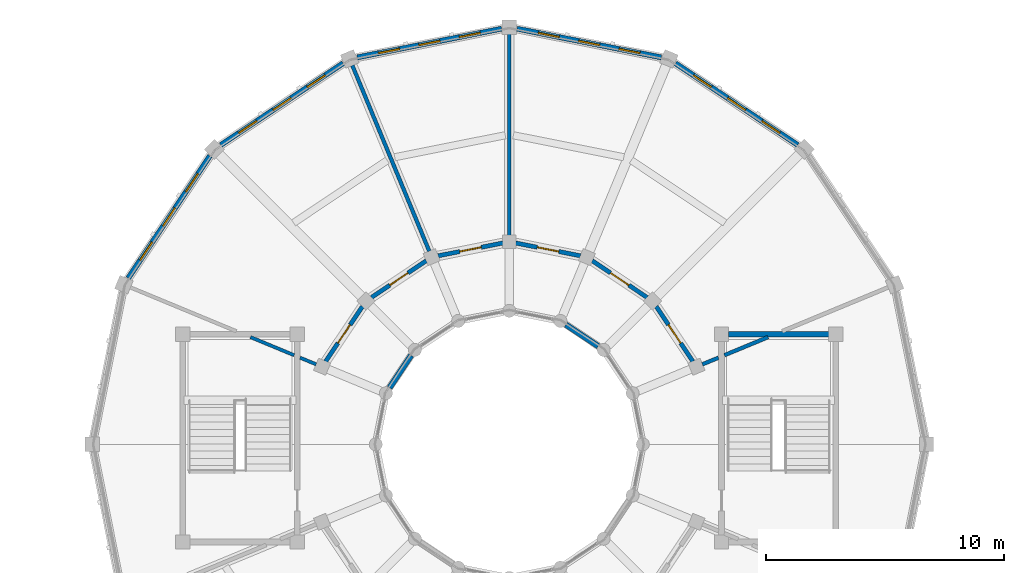
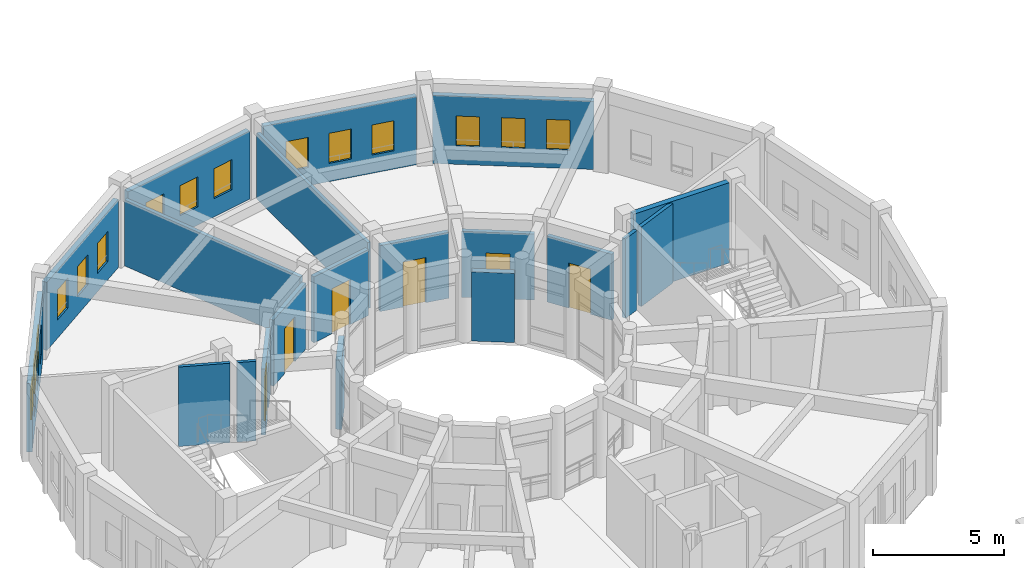
# One storey, part 87 of 112: 20 walls, 15 windows, 6 doors, 21 openings.
"""IFC4 building model written with IfcOpenShell, lengths in metres."""

from ifc_helpers import new_model, si_unit, direction, frame, frame_2d, origin, place, context, subcontext, project, spatial, rectangle, extrude, material, layer, layer_set, type_object, element, fill, save


model = new_model("IFC4")

# Units and contexts
model_context = context("Model", 3, precision=1e-05, world=origin(), true_north=direction((0.0, 1.0)))
body_context = subcontext(model_context, "Body", "Model", "MODEL_VIEW")
ifc_project = project(units=[si_unit("LENGTHUNIT", "METRE"), si_unit("AREAUNIT", "SQUARE_METRE"), si_unit("VOLUMEUNIT", "CUBIC_METRE"), si_unit("PLANEANGLEUNIT", "RADIAN"), si_unit("MASSUNIT", "GRAM", prefix="KILO")], contexts=[model_context])

# Site, building, storey
site_placement = place(None, origin())
site = spatial("IfcSite", under=ifc_project, at=site_placement, CompositionType="ELEMENT")
building_placement = place(site_placement, origin())
building = spatial("IfcBuilding", under=site, at=building_placement, Name="Celadon Cloister-Ring School", CompositionType="ELEMENT")
storey_placement = place(building_placement, frame((0.0, 0.0, 8.5)))
storey = spatial("IfcBuildingStorey", under=building, at=storey_placement, Name="L02", CompositionType="ELEMENT", Elevation=8.5)

# Walls
ifc_material_1 = material(Name="Rendered concrete blockwork", Category="masonry")
ifc_layer_1 = layer(ifc_material_1, 0.239990234375)
ifc_layer_set_1 = layer_set([ifc_layer_1], Name="Rendered concrete blockwork")
wall_type_1 = type_object("IfcWallType", Name="WT-EX3", PredefinedType="SOLIDWALL", material=ifc_layer_set_1)
for number, where, z_axis, x_axis, name in (
    (1, (23.929931640625, 101.114013671875, 0.0), (0.0, 0.0, 1.0), (-0.83165874011, 0.555287078904, 0.0), "Exterior Wall 0254"),
    (2, (16.0859375, 100.72998046875, 0.0), (0.0, 0.0, 1.0), (-0.555287078904, -0.83165874011, 0.0), "Exterior Wall 0259"),
):
    element("IfcWall", number, at=place(storey_placement, frame(where, z_axis=z_axis, x_axis=x_axis)), inside=storey, type_object=wall_type_1, Name=name, PredefinedType="SOLIDWALL", context=body_context, shape_type="SweptSolid", body=[
        extrude(rectangle(XDim=1.631591796875, YDim=0.239990234375, at=frame_2d((0.81591796875, 0.0))), origin(), (0.0, 0.0, 1.0), 3.221923828125),
    ])

# Wall, openings, windows
ifc_material_2 = material(Name="Perforated terracotta clay brick masonry", Category="masonry")
ifc_layer_2 = layer(ifc_material_2, 0.219970703125)
ifc_layer_set_2 = layer_set([ifc_layer_2], Name="Perforated terracotta clay brick masonry")
wall_type_2 = type_object("IfcWallType", Name="WT-EX4", PredefinedType="SOLIDWALL", material=ifc_layer_set_2)
wall_1_placement = place(storey_placement, frame((27.1708984375, 112.985107421875, 0.0), z_axis=(0.0, 0.0, 1.0), x_axis=(0.831392186772, -0.55568609104, 0.0)))
wall_1 = element("IfcWall", 3, at=wall_1_placement, inside=storey, type_object=wall_type_2, Name="Exterior Wall 0253", PredefinedType="SOLIDWALL", context=body_context, shape_type="SweptSolid", body=[
    extrude(rectangle(XDim=6.16943359375, YDim=0.219970703125, at=frame_2d((3.084716796875, 0.0))), origin(), (0.0, 0.0, 1.0), 3.172119140625),
])
opening_1_placement = place(wall_1_placement, frame((0.906982421875, 0.0, 0.85009765625)))
opening_1 = element("IfcOpeningElement", 4, at=opening_1_placement, cuts=wall_1, Name="Opening WN-21", PredefinedType="OPENING", context=body_context, shape_type="SweptSolid", body=[
    extrude(rectangle(XDim=0.89990234375, YDim=1.39990234375, at=frame_2d((0.449951171875, 0.699951171875))), frame((0.0, 0.1201171875, 0.0), z_axis=(0.0, -1.0, 0.0), x_axis=(1.0, 0.0, 0.0)), (0.0, 0.0, 1.0), 0.239990234375),
])
opening_2_placement = place(wall_1_placement, frame((2.635009765625, 0.0, 0.85009765625)))
opening_2 = element("IfcOpeningElement", 5, at=opening_2_placement, cuts=wall_1, Name="Opening WN-21", PredefinedType="OPENING", context=body_context, shape_type="SweptSolid", body=[
    extrude(rectangle(XDim=0.89990234375, YDim=1.39990234375, at=frame_2d((0.449951171875, 0.699951171875))), frame((0.0, 0.1201171875, 0.0), z_axis=(0.0, -1.0, 0.0), x_axis=(1.0, 0.0, 0.0)), (0.0, 0.0, 1.0), 0.239990234375),
])
opening_3_placement = place(wall_1_placement, frame((4.362060546875, 0.0, 0.85009765625)))
opening_3 = element("IfcOpeningElement", 6, at=opening_3_placement, cuts=wall_1, Name="Opening WN-21", PredefinedType="OPENING", context=body_context, shape_type="SweptSolid", body=[
    extrude(rectangle(XDim=0.89990234375, YDim=1.39990234375, at=frame_2d((0.449951171875, 0.699951171875))), frame((0.0, 0.1201171875, 0.0), z_axis=(0.0, -1.0, 0.0), x_axis=(1.0, 0.0, 0.0)), (0.0, 0.0, 1.0), 0.239990234375),
])
ifc_material_3 = material(Name="Tempered laminated insulating glass", Category="glass")
window_type = type_object("IfcWindowType", Name="WN-21", PartitioningType="SINGLE_PANEL", PredefinedType="WINDOW", material=ifc_material_3)
window_1_placement = place(opening_1_placement, origin())
window_1 = element("IfcWindow", 7, at=window_1_placement, inside=storey, type_object=window_type, Name="Window 0673", OverallHeight=1.39990234375, OverallWidth=0.89990234375, PartitioningType="SINGLE_PANEL", PredefinedType="WINDOW", context=body_context, shape_type="SweptSolid", body=[
    extrude(rectangle(XDim=0.89990234375, YDim=1.39990234375, at=frame_2d((0.449951171875, 0.699951171875))), frame((0.0, 0.030029296875, 0.0), z_axis=(0.0, -1.0, 0.0), x_axis=(1.0, 0.0, 0.0)), (0.0, 0.0, 1.0), 0.06005859375),
])
fill(opening_1, window_1)
window_2_placement = place(opening_2_placement, origin())
window_2 = element("IfcWindow", 8, at=window_2_placement, inside=storey, type_object=window_type, Name="Window 0674", OverallHeight=1.39990234375, OverallWidth=0.89990234375, PartitioningType="SINGLE_PANEL", PredefinedType="WINDOW", context=body_context, shape_type="SweptSolid", body=[
    extrude(rectangle(XDim=0.89990234375, YDim=1.39990234375, at=frame_2d((0.449951171875, 0.699951171875))), frame((0.0, 0.030029296875, 0.0), z_axis=(0.0, -1.0, 0.0), x_axis=(1.0, 0.0, 0.0)), (0.0, 0.0, 1.0), 0.06005859375),
])
fill(opening_2, window_2)
window_3_placement = place(opening_3_placement, origin())
window_3 = element("IfcWindow", 9, at=window_3_placement, inside=storey, type_object=window_type, Name="Window 0675", OverallHeight=1.39990234375, OverallWidth=0.89990234375, PartitioningType="SINGLE_PANEL", PredefinedType="WINDOW", context=body_context, shape_type="SweptSolid", body=[
    extrude(rectangle(XDim=0.89990234375, YDim=1.39990234375, at=frame_2d((0.449951171875, 0.699951171875))), frame((0.0, 0.030029296875, 0.0), z_axis=(0.0, -1.0, 0.0), x_axis=(1.0, 0.0, 0.0)), (0.0, 0.0, 1.0), 0.06005859375),
])
fill(opening_3, window_3)

wall_2_placement = place(storey_placement, frame((20.52294921875, 114.43603515625, 0.0), z_axis=(0.0, 0.0, 1.0), x_axis=(0.980770460131, -0.195164813773, 0.0)))
wall_2 = element("IfcWall", 10, at=wall_2_placement, inside=storey, type_object=wall_type_2, Name="Exterior Wall 0255", PredefinedType="SOLIDWALL", context=body_context, shape_type="SweptSolid", body=[
    extrude(rectangle(XDim=6.169677734375, YDim=0.219970703125, at=frame_2d((3.0849609375, 0.0))), origin(), (0.0, 0.0, 1.0), 3.172119140625),
])
opening_4_placement = place(wall_2_placement, frame((0.906982421875, 0.0, 0.85009765625)))
opening_4 = element("IfcOpeningElement", 11, at=opening_4_placement, cuts=wall_2, Name="Opening WN-21", PredefinedType="OPENING", context=body_context, shape_type="SweptSolid", body=[
    extrude(rectangle(XDim=0.89990234375, YDim=1.39990234375, at=frame_2d((0.449951171875, 0.699951171875))), frame((0.0, 0.1201171875, 0.0), z_axis=(0.0, -1.0, 0.0), x_axis=(1.0, 0.0, 0.0)), (0.0, 0.0, 1.0), 0.239990234375),
])
opening_5_placement = place(wall_2_placement, frame((2.635009765625, 0.0, 0.85009765625)))
opening_5 = element("IfcOpeningElement", 12, at=opening_5_placement, cuts=wall_2, Name="Opening WN-21", PredefinedType="OPENING", context=body_context, shape_type="SweptSolid", body=[
    extrude(rectangle(XDim=0.89990234375, YDim=1.39990234375, at=frame_2d((0.449951171875, 0.699951171875))), frame((0.0, 0.1201171875, 0.0), z_axis=(0.0, -1.0, 0.0), x_axis=(1.0, 0.0, 0.0)), (0.0, 0.0, 1.0), 0.239990234375),
])
opening_6_placement = place(wall_2_placement, frame((4.362060546875, 0.0, 0.85009765625)))
opening_6 = element("IfcOpeningElement", 13, at=opening_6_placement, cuts=wall_2, Name="Opening WN-21", PredefinedType="OPENING", context=body_context, shape_type="SweptSolid", body=[
    extrude(rectangle(XDim=0.89990234375, YDim=1.39990234375, at=frame_2d((0.449951171875, 0.699951171875))), frame((0.0, 0.1201171875, 0.0), z_axis=(0.0, -1.0, 0.0), x_axis=(1.0, 0.0, 0.0)), (0.0, 0.0, 1.0), 0.239990234375),
])
window_4_placement = place(opening_4_placement, origin())
window_4 = element("IfcWindow", 14, at=window_4_placement, inside=storey, type_object=window_type, Name="Window 0676", OverallHeight=1.39990234375, OverallWidth=0.89990234375, PartitioningType="SINGLE_PANEL", PredefinedType="WINDOW", context=body_context, shape_type="SweptSolid", body=[
    extrude(rectangle(XDim=0.89990234375, YDim=1.39990234375, at=frame_2d((0.449951171875, 0.699951171875))), frame((0.0, 0.030029296875, 0.0), z_axis=(0.0, -1.0, 0.0), x_axis=(1.0, 0.0, 0.0)), (0.0, 0.0, 1.0), 0.06005859375),
])
fill(opening_4, window_4)
window_5_placement = place(opening_5_placement, origin())
window_5 = element("IfcWindow", 15, at=window_5_placement, inside=storey, type_object=window_type, Name="Window 0677", OverallHeight=1.39990234375, OverallWidth=0.89990234375, PartitioningType="SINGLE_PANEL", PredefinedType="WINDOW", context=body_context, shape_type="SweptSolid", body=[
    extrude(rectangle(XDim=0.89990234375, YDim=1.39990234375, at=frame_2d((0.449951171875, 0.699951171875))), frame((0.0, 0.030029296875, 0.0), z_axis=(0.0, -1.0, 0.0), x_axis=(1.0, 0.0, 0.0)), (0.0, 0.0, 1.0), 0.06005859375),
])
fill(opening_5, window_5)
window_6_placement = place(opening_6_placement, origin())
window_6 = element("IfcWindow", 16, at=window_6_placement, inside=storey, type_object=window_type, Name="Window 0678", OverallHeight=1.39990234375, OverallWidth=0.89990234375, PartitioningType="SINGLE_PANEL", PredefinedType="WINDOW", context=body_context, shape_type="SweptSolid", body=[
    extrude(rectangle(XDim=0.89990234375, YDim=1.39990234375, at=frame_2d((0.449951171875, 0.699951171875))), frame((0.0, 0.030029296875, 0.0), z_axis=(0.0, -1.0, 0.0), x_axis=(1.0, 0.0, 0.0)), (0.0, 0.0, 1.0), 0.06005859375),
])
fill(opening_6, window_6)

wall_3_placement = place(storey_placement, frame((13.825927734375, 113.23193359375, 0.0), z_axis=(0.0, 0.0, 1.0), x_axis=(0.980770460131, 0.195164813773, 0.0)))
wall_3 = element("IfcWall", 17, at=wall_3_placement, inside=storey, type_object=wall_type_2, Name="Exterior Wall 0256", PredefinedType="SOLIDWALL", context=body_context, shape_type="SweptSolid", body=[
    extrude(rectangle(XDim=6.169677734375, YDim=0.219970703125, at=frame_2d((3.0849609375, 0.0))), origin(), (0.0, 0.0, 1.0), 3.172119140625),
])
opening_7_placement = place(wall_3_placement, frame((0.906982421875, 0.0, 0.85009765625)))
opening_7 = element("IfcOpeningElement", 18, at=opening_7_placement, cuts=wall_3, Name="Opening WN-21", PredefinedType="OPENING", context=body_context, shape_type="SweptSolid", body=[
    extrude(rectangle(XDim=0.89990234375, YDim=1.39990234375, at=frame_2d((0.449951171875, 0.699951171875))), frame((0.0, 0.1201171875, 0.0), z_axis=(0.0, -1.0, 0.0), x_axis=(1.0, 0.0, 0.0)), (0.0, 0.0, 1.0), 0.239990234375),
])
opening_8_placement = place(wall_3_placement, frame((2.635009765625, 0.0, 0.85009765625)))
opening_8 = element("IfcOpeningElement", 19, at=opening_8_placement, cuts=wall_3, Name="Opening WN-21", PredefinedType="OPENING", context=body_context, shape_type="SweptSolid", body=[
    extrude(rectangle(XDim=0.89990234375, YDim=1.39990234375, at=frame_2d((0.449951171875, 0.699951171875))), frame((0.0, 0.1201171875, 0.0), z_axis=(0.0, -1.0, 0.0), x_axis=(1.0, 0.0, 0.0)), (0.0, 0.0, 1.0), 0.239990234375),
])
opening_9_placement = place(wall_3_placement, frame((4.362060546875, 0.0, 0.85009765625)))
opening_9 = element("IfcOpeningElement", 20, at=opening_9_placement, cuts=wall_3, Name="Opening WN-21", PredefinedType="OPENING", context=body_context, shape_type="SweptSolid", body=[
    extrude(rectangle(XDim=0.89990234375, YDim=1.39990234375, at=frame_2d((0.449951171875, 0.699951171875))), frame((0.0, 0.1201171875, 0.0), z_axis=(0.0, -1.0, 0.0), x_axis=(1.0, 0.0, 0.0)), (0.0, 0.0, 1.0), 0.239990234375),
])
window_7_placement = place(opening_7_placement, origin())
window_7 = element("IfcWindow", 21, at=window_7_placement, inside=storey, type_object=window_type, Name="Window 0679", OverallHeight=1.39990234375, OverallWidth=0.89990234375, PartitioningType="SINGLE_PANEL", PredefinedType="WINDOW", context=body_context, shape_type="SweptSolid", body=[
    extrude(rectangle(XDim=0.89990234375, YDim=1.39990234375, at=frame_2d((0.449951171875, 0.699951171875))), frame((0.0, 0.030029296875, 0.0), z_axis=(0.0, -1.0, 0.0), x_axis=(1.0, 0.0, 0.0)), (0.0, 0.0, 1.0), 0.06005859375),
])
fill(opening_7, window_7)
window_8_placement = place(opening_8_placement, origin())
window_8 = element("IfcWindow", 22, at=window_8_placement, inside=storey, type_object=window_type, Name="Window 0680", OverallHeight=1.39990234375, OverallWidth=0.89990234375, PartitioningType="SINGLE_PANEL", PredefinedType="WINDOW", context=body_context, shape_type="SweptSolid", body=[
    extrude(rectangle(XDim=0.89990234375, YDim=1.39990234375, at=frame_2d((0.449951171875, 0.699951171875))), frame((0.0, 0.030029296875, 0.0), z_axis=(0.0, -1.0, 0.0), x_axis=(1.0, 0.0, 0.0)), (0.0, 0.0, 1.0), 0.06005859375),
])
fill(opening_8, window_8)
window_9_placement = place(opening_9_placement, origin())
window_9 = element("IfcWindow", 23, at=window_9_placement, inside=storey, type_object=window_type, Name="Window 0681", OverallHeight=1.39990234375, OverallWidth=0.89990234375, PartitioningType="SINGLE_PANEL", PredefinedType="WINDOW", context=body_context, shape_type="SweptSolid", body=[
    extrude(rectangle(XDim=0.89990234375, YDim=1.39990234375, at=frame_2d((0.449951171875, 0.699951171875))), frame((0.0, 0.030029296875, 0.0), z_axis=(0.0, -1.0, 0.0), x_axis=(1.0, 0.0, 0.0)), (0.0, 0.0, 1.0), 0.06005859375),
])
fill(opening_9, window_9)

wall_4_placement = place(storey_placement, frame((8.10009765625, 109.556884765625, 0.0), z_axis=(0.0, 0.0, 1.0), x_axis=(0.831379966495, 0.555704374025, 0.0)))
wall_4 = element("IfcWall", 24, at=wall_4_placement, inside=storey, type_object=wall_type_2, Name="Exterior Wall 0257", PredefinedType="SOLIDWALL", context=body_context, shape_type="SweptSolid", body=[
    extrude(rectangle(XDim=6.169189453125, YDim=0.219970703125, at=frame_2d((3.08447265625, 0.0))), origin(), (0.0, 0.0, 1.0), 3.172119140625),
])
opening_10_placement = place(wall_4_placement, frame((0.906982421875, 0.0, 0.85009765625)))
opening_10 = element("IfcOpeningElement", 25, at=opening_10_placement, cuts=wall_4, Name="Opening WN-21", PredefinedType="OPENING", context=body_context, shape_type="SweptSolid", body=[
    extrude(rectangle(XDim=0.89990234375, YDim=1.39990234375, at=frame_2d((0.449951171875, 0.699951171875))), frame((0.0, 0.1201171875, 0.0), z_axis=(0.0, -1.0, 0.0), x_axis=(1.0, 0.0, 0.0)), (0.0, 0.0, 1.0), 0.239990234375),
])
opening_11_placement = place(wall_4_placement, frame((2.635009765625, 0.0, 0.85009765625)))
opening_11 = element("IfcOpeningElement", 26, at=opening_11_placement, cuts=wall_4, Name="Opening WN-21", PredefinedType="OPENING", context=body_context, shape_type="SweptSolid", body=[
    extrude(rectangle(XDim=0.89990234375, YDim=1.39990234375, at=frame_2d((0.449951171875, 0.699951171875))), frame((0.0, 0.1201171875, 0.0), z_axis=(0.0, -1.0, 0.0), x_axis=(1.0, 0.0, 0.0)), (0.0, 0.0, 1.0), 0.239990234375),
])
opening_12_placement = place(wall_4_placement, frame((4.362060546875, 0.0, 0.85009765625)))
opening_12 = element("IfcOpeningElement", 27, at=opening_12_placement, cuts=wall_4, Name="Opening WN-21", PredefinedType="OPENING", context=body_context, shape_type="SweptSolid", body=[
    extrude(rectangle(XDim=0.89990234375, YDim=1.39990234375, at=frame_2d((0.449951171875, 0.699951171875))), frame((0.0, 0.1201171875, 0.0), z_axis=(0.0, -1.0, 0.0), x_axis=(1.0, 0.0, 0.0)), (0.0, 0.0, 1.0), 0.239990234375),
])
window_10_placement = place(opening_10_placement, origin())
window_10 = element("IfcWindow", 28, at=window_10_placement, inside=storey, type_object=window_type, Name="Window 0682", OverallHeight=1.39990234375, OverallWidth=0.89990234375, PartitioningType="SINGLE_PANEL", PredefinedType="WINDOW", context=body_context, shape_type="SweptSolid", body=[
    extrude(rectangle(XDim=0.89990234375, YDim=1.39990234375, at=frame_2d((0.449951171875, 0.699951171875))), frame((0.0, 0.030029296875, 0.0), z_axis=(0.0, -1.0, 0.0), x_axis=(1.0, 0.0, 0.0)), (0.0, 0.0, 1.0), 0.06005859375),
])
fill(opening_10, window_10)
window_11_placement = place(opening_11_placement, origin())
window_11 = element("IfcWindow", 29, at=window_11_placement, inside=storey, type_object=window_type, Name="Window 0683", OverallHeight=1.39990234375, OverallWidth=0.89990234375, PartitioningType="SINGLE_PANEL", PredefinedType="WINDOW", context=body_context, shape_type="SweptSolid", body=[
    extrude(rectangle(XDim=0.89990234375, YDim=1.39990234375, at=frame_2d((0.449951171875, 0.699951171875))), frame((0.0, 0.030029296875, 0.0), z_axis=(0.0, -1.0, 0.0), x_axis=(1.0, 0.0, 0.0)), (0.0, 0.0, 1.0), 0.06005859375),
])
fill(opening_11, window_11)
window_12_placement = place(opening_12_placement, origin())
window_12 = element("IfcWindow", 30, at=window_12_placement, inside=storey, type_object=window_type, Name="Window 0684", OverallHeight=1.39990234375, OverallWidth=0.89990234375, PartitioningType="SINGLE_PANEL", PredefinedType="WINDOW", context=body_context, shape_type="SweptSolid", body=[
    extrude(rectangle(XDim=0.89990234375, YDim=1.39990234375, at=frame_2d((0.449951171875, 0.699951171875))), frame((0.0, 0.030029296875, 0.0), z_axis=(0.0, -1.0, 0.0), x_axis=(1.0, 0.0, 0.0)), (0.0, 0.0, 1.0), 0.06005859375),
])
fill(opening_12, window_12)

wall_5_placement = place(storey_placement, frame((4.215087890625, 103.970947265625, 0.0), z_axis=(0.0, 0.0, 1.0), x_axis=(0.555658736667, 0.831410469242, 0.0)))
wall_5 = element("IfcWall", 31, at=wall_5_placement, inside=storey, type_object=wall_type_2, Name="Exterior Wall 0258", PredefinedType="SOLIDWALL", context=body_context, shape_type="SweptSolid", body=[
    extrude(rectangle(XDim=6.169189453125, YDim=0.219970703125, at=frame_2d((3.08447265625, 0.0))), origin(), (0.0, 0.0, 1.0), 3.172119140625),
])
opening_13_placement = place(wall_5_placement, frame((0.906982421875, 0.0, 0.85009765625)))
opening_13 = element("IfcOpeningElement", 32, at=opening_13_placement, cuts=wall_5, Name="Opening WN-21", PredefinedType="OPENING", context=body_context, shape_type="SweptSolid", body=[
    extrude(rectangle(XDim=0.89990234375, YDim=1.39990234375, at=frame_2d((0.449951171875, 0.699951171875))), frame((0.0, 0.1201171875, 0.0), z_axis=(0.0, -1.0, 0.0), x_axis=(1.0, 0.0, 0.0)), (0.0, 0.0, 1.0), 0.239990234375),
])
opening_14_placement = place(wall_5_placement, frame((2.635009765625, 0.0, 0.85009765625)))
opening_14 = element("IfcOpeningElement", 33, at=opening_14_placement, cuts=wall_5, Name="Opening WN-21", PredefinedType="OPENING", context=body_context, shape_type="SweptSolid", body=[
    extrude(rectangle(XDim=0.89990234375, YDim=1.39990234375, at=frame_2d((0.449951171875, 0.699951171875))), frame((0.0, 0.1201171875, 0.0), z_axis=(0.0, -1.0, 0.0), x_axis=(1.0, 0.0, 0.0)), (0.0, 0.0, 1.0), 0.239990234375),
])
opening_15_placement = place(wall_5_placement, frame((4.362060546875, 0.0, 0.85009765625)))
opening_15 = element("IfcOpeningElement", 34, at=opening_15_placement, cuts=wall_5, Name="Opening WN-21", PredefinedType="OPENING", context=body_context, shape_type="SweptSolid", body=[
    extrude(rectangle(XDim=0.89990234375, YDim=1.39990234375, at=frame_2d((0.449951171875, 0.699951171875))), frame((0.0, 0.1201171875, 0.0), z_axis=(0.0, -1.0, 0.0), x_axis=(1.0, 0.0, 0.0)), (0.0, 0.0, 1.0), 0.239990234375),
])
window_13_placement = place(opening_13_placement, origin())
window_13 = element("IfcWindow", 35, at=window_13_placement, inside=storey, type_object=window_type, Name="Window 0685", OverallHeight=1.39990234375, OverallWidth=0.89990234375, PartitioningType="SINGLE_PANEL", PredefinedType="WINDOW", context=body_context, shape_type="SweptSolid", body=[
    extrude(rectangle(XDim=0.89990234375, YDim=1.39990234375, at=frame_2d((0.449951171875, 0.699951171875))), frame((0.0, 0.030029296875, 0.0), z_axis=(0.0, -1.0, 0.0), x_axis=(1.0, 0.0, 0.0)), (0.0, 0.0, 1.0), 0.06005859375),
])
fill(opening_13, window_13)
window_14_placement = place(opening_14_placement, origin())
window_14 = element("IfcWindow", 36, at=window_14_placement, inside=storey, type_object=window_type, Name="Window 0686", OverallHeight=1.39990234375, OverallWidth=0.89990234375, PartitioningType="SINGLE_PANEL", PredefinedType="WINDOW", context=body_context, shape_type="SweptSolid", body=[
    extrude(rectangle(XDim=0.89990234375, YDim=1.39990234375, at=frame_2d((0.449951171875, 0.699951171875))), frame((0.0, 0.030029296875, 0.0), z_axis=(0.0, -1.0, 0.0), x_axis=(1.0, 0.0, 0.0)), (0.0, 0.0, 1.0), 0.06005859375),
])
fill(opening_14, window_14)
window_15_placement = place(opening_15_placement, origin())
window_15 = element("IfcWindow", 37, at=window_15_placement, inside=storey, type_object=window_type, Name="Window 0687", OverallHeight=1.39990234375, OverallWidth=0.89990234375, PartitioningType="SINGLE_PANEL", PredefinedType="WINDOW", context=body_context, shape_type="SweptSolid", body=[
    extrude(rectangle(XDim=0.89990234375, YDim=1.39990234375, at=frame_2d((0.449951171875, 0.699951171875))), frame((0.0, 0.030029296875, 0.0), z_axis=(0.0, -1.0, 0.0), x_axis=(1.0, 0.0, 0.0)), (0.0, 0.0, 1.0), 0.06005859375),
])
fill(opening_15, window_15)

# Wall, opening, door
ifc_material_4 = material(Name="Plastered hollow concrete masonry", Category="masonry")
ifc_layer_3 = layer(ifc_material_4, 0.179931640625)
ifc_layer_set_3 = layer_set([ifc_layer_3], Name="Plastered hollow concrete masonry")
wall_type_3 = type_object("IfcWallType", Name="WT-PT2", PredefinedType="PARTITIONING", material=ifc_layer_set_3)
wall_6_placement = place(storey_placement, frame((27.902099609375, 100.47900390625, 0.0), z_axis=(0.0, 0.0, 1.0), x_axis=(-0.555797002478, 0.831318045056, 0.0)))
wall_6 = element("IfcWall", 38, at=wall_6_placement, inside=storey, type_object=wall_type_3, Name="Interior Wall 0719", PredefinedType="PARTITIONING", context=body_context, shape_type="SweptSolid", body=[
    extrude(rectangle(XDim=2.772705078125, YDim=0.179931640625, at=frame_2d((1.38623046875, 0.0))), origin(), (0.0, 0.0, 1.0), 3.072021484375),
])
opening_16_placement = place(wall_6_placement, frame((0.926025390625, 0.0, 0.0)))
opening_16 = element("IfcOpeningElement", 39, at=opening_16_placement, cuts=wall_6, Name="Opening D-0258", PredefinedType="OPENING", context=body_context, shape_type="SweptSolid", body=[
    extrude(rectangle(XDim=0.919921875, YDim=2.10009765625, at=frame_2d((0.4599609375, 1.050048828125))), frame((0.0, 0.10009765625, 0.0), z_axis=(0.0, -1.0, 0.0), x_axis=(1.0, 0.0, 0.0)), (0.0, 0.0, 1.0), 0.199951171875),
])
ifc_material_5 = material(Name="Solid-core fire-rated hardwood leaf", Category="wood")
door_type = type_object("IfcDoorType", Name="DT-02", OperationType="NOTDEFINED", PredefinedType="DOOR", material=ifc_material_5)
door_1_placement = place(opening_16_placement, origin())
door_1 = element("IfcDoor", 40, at=door_1_placement, inside=storey, type_object=door_type, Name="Door D-0258", OperationType="SINGLE_SWING_RIGHT", OverallHeight=2.10009765625, OverallWidth=0.919921875, PredefinedType="DOOR", context=body_context, shape_type="SweptSolid", body=[
    extrude(rectangle(XDim=0.919921875, YDim=2.10009765625, at=frame_2d((0.4599609375, 1.050048828125))), frame((0.0, 0.02490234375, 0.0), z_axis=(0.0, -1.0, 0.0), x_axis=(1.0, 0.0, 0.0)), (0.0, 0.0, 1.0), 0.050048828125),
])
fill(opening_16, door_1)

wall_7_placement = place(storey_placement, frame((25.98388671875, 103.160888671875, 0.0), z_axis=(0.0, 0.0, 1.0), x_axis=(-0.831318045056, 0.555797002478, 0.0)))
wall_7 = element("IfcWall", 41, at=wall_7_placement, inside=storey, type_object=wall_type_3, Name="Interior Wall 0720", PredefinedType="PARTITIONING", context=body_context, shape_type="SweptSolid", body=[
    extrude(rectangle(XDim=2.772705078125, YDim=0.179931640625, at=frame_2d((1.38623046875, 0.0))), origin(), (0.0, 0.0, 1.0), 3.072021484375),
])
opening_17_placement = place(wall_7_placement, frame((0.926025390625, 0.0, 0.0)))
opening_17 = element("IfcOpeningElement", 42, at=opening_17_placement, cuts=wall_7, Name="Opening D-0259", PredefinedType="OPENING", context=body_context, shape_type="SweptSolid", body=[
    extrude(rectangle(XDim=0.919921875, YDim=2.10009765625, at=frame_2d((0.4599609375, 1.050048828125))), frame((0.0, 0.10009765625, 0.0), z_axis=(0.0, -1.0, 0.0), x_axis=(1.0, 0.0, 0.0)), (0.0, 0.0, 1.0), 0.199951171875),
])
door_2_placement = place(opening_17_placement, origin())
door_2 = element("IfcDoor", 43, at=door_2_placement, inside=storey, type_object=door_type, Name="Door D-0259", OperationType="SINGLE_SWING_LEFT", OverallHeight=2.10009765625, OverallWidth=0.919921875, PredefinedType="DOOR", context=body_context, shape_type="SweptSolid", body=[
    extrude(rectangle(XDim=0.919921875, YDim=2.10009765625, at=frame_2d((0.4599609375, 1.050048828125))), frame((0.0, 0.02490234375, 0.0), z_axis=(0.0, -1.0, 0.0), x_axis=(1.0, 0.0, 0.0)), (0.0, 0.0, 1.0), 0.050048828125),
])
fill(opening_17, door_2)

wall_8_placement = place(storey_placement, frame((23.18603515625, 104.906005859375, 0.0), z_axis=(0.0, 0.0, 1.0), x_axis=(-0.980773264811, 0.195150718759, 0.0)))
wall_8 = element("IfcWall", 44, at=wall_8_placement, inside=storey, type_object=wall_type_3, Name="Interior Wall 0721", PredefinedType="PARTITIONING", context=body_context, shape_type="SweptSolid", body=[
    extrude(rectangle(XDim=2.772216796875, YDim=0.179931640625, at=frame_2d((1.38623046875, 0.0))), origin(), (0.0, 0.0, 1.0), 3.072021484375),
])
opening_18_placement = place(wall_8_placement, frame((0.926025390625, 0.0, 0.0)))
opening_18 = element("IfcOpeningElement", 45, at=opening_18_placement, cuts=wall_8, Name="Opening D-0260", PredefinedType="OPENING", context=body_context, shape_type="SweptSolid", body=[
    extrude(rectangle(XDim=0.919921875, YDim=2.10009765625, at=frame_2d((0.4599609375, 1.050048828125))), frame((0.0, 0.10009765625, 0.0), z_axis=(0.0, -1.0, 0.0), x_axis=(1.0, 0.0, 0.0)), (0.0, 0.0, 1.0), 0.199951171875),
])
door_3_placement = place(opening_18_placement, origin())
door_3 = element("IfcDoor", 46, at=door_3_placement, inside=storey, type_object=door_type, Name="Door D-0260", OperationType="SINGLE_SWING_RIGHT", OverallHeight=2.10009765625, OverallWidth=0.919921875, PredefinedType="DOOR", context=body_context, shape_type="SweptSolid", body=[
    extrude(rectangle(XDim=0.919921875, YDim=2.10009765625, at=frame_2d((0.4599609375, 1.050048828125))), frame((0.0, 0.02490234375, 0.0), z_axis=(0.0, -1.0, 0.0), x_axis=(1.0, 0.0, 0.0)), (0.0, 0.0, 1.0), 0.050048828125),
])
fill(opening_18, door_3)

wall_9_placement = place(storey_placement, frame((19.93310546875, 105.447021484375, 0.0), z_axis=(0.0, 0.0, 1.0), x_axis=(-0.980773264811, -0.195150718759, 0.0)))
wall_9 = element("IfcWall", 47, at=wall_9_placement, inside=storey, type_object=wall_type_3, Name="Interior Wall 0722", PredefinedType="PARTITIONING", context=body_context, shape_type="SweptSolid", body=[
    extrude(rectangle(XDim=2.772216796875, YDim=0.179931640625, at=frame_2d((1.38623046875, 0.0))), origin(), (0.0, 0.0, 1.0), 3.072021484375),
])
opening_19_placement = place(wall_9_placement, frame((0.926025390625, 0.0, 0.0)))
opening_19 = element("IfcOpeningElement", 48, at=opening_19_placement, cuts=wall_9, Name="Opening D-0261", PredefinedType="OPENING", context=body_context, shape_type="SweptSolid", body=[
    extrude(rectangle(XDim=0.919921875, YDim=2.10009765625, at=frame_2d((0.4599609375, 1.050048828125))), frame((0.0, 0.10009765625, 0.0), z_axis=(0.0, -1.0, 0.0), x_axis=(1.0, 0.0, 0.0)), (0.0, 0.0, 1.0), 0.199951171875),
])
door_4_placement = place(opening_19_placement, origin())
door_4 = element("IfcDoor", 49, at=door_4_placement, inside=storey, type_object=door_type, Name="Door D-0261", OperationType="SINGLE_SWING_LEFT", OverallHeight=2.10009765625, OverallWidth=0.919921875, PredefinedType="DOOR", context=body_context, shape_type="SweptSolid", body=[
    extrude(rectangle(XDim=0.919921875, YDim=2.10009765625, at=frame_2d((0.4599609375, 1.050048828125))), frame((0.0, 0.02490234375, 0.0), z_axis=(0.0, -1.0, 0.0), x_axis=(1.0, 0.0, 0.0)), (0.0, 0.0, 1.0), 0.050048828125),
])
fill(opening_19, door_4)

wall_10_placement = place(storey_placement, frame((16.720947265625, 104.701904296875, 0.0), z_axis=(0.0, 0.0, 1.0), x_axis=(-0.831318045056, -0.555797002478, 0.0)))
wall_10 = element("IfcWall", 50, at=wall_10_placement, inside=storey, type_object=wall_type_3, Name="Interior Wall 0723", PredefinedType="PARTITIONING", context=body_context, shape_type="SweptSolid", body=[
    extrude(rectangle(XDim=2.772705078125, YDim=0.179931640625, at=frame_2d((1.38623046875, 0.0))), origin(), (0.0, 0.0, 1.0), 3.072021484375),
])
opening_20_placement = place(wall_10_placement, frame((0.926025390625, 0.0, 0.0)))
opening_20 = element("IfcOpeningElement", 51, at=opening_20_placement, cuts=wall_10, Name="Opening D-0262", PredefinedType="OPENING", context=body_context, shape_type="SweptSolid", body=[
    extrude(rectangle(XDim=0.919921875, YDim=2.10009765625, at=frame_2d((0.4599609375, 1.050048828125))), frame((0.0, 0.10009765625, 0.0), z_axis=(0.0, -1.0, 0.0), x_axis=(1.0, 0.0, 0.0)), (0.0, 0.0, 1.0), 0.199951171875),
])
door_5_placement = place(opening_20_placement, origin())
door_5 = element("IfcDoor", 52, at=door_5_placement, inside=storey, type_object=door_type, Name="Door D-0262", OperationType="SINGLE_SWING_RIGHT", OverallHeight=2.10009765625, OverallWidth=0.919921875, PredefinedType="DOOR", context=body_context, shape_type="SweptSolid", body=[
    extrude(rectangle(XDim=0.919921875, YDim=2.10009765625, at=frame_2d((0.4599609375, 1.050048828125))), frame((0.0, 0.02490234375, 0.0), z_axis=(0.0, -1.0, 0.0), x_axis=(1.0, 0.0, 0.0)), (0.0, 0.0, 1.0), 0.050048828125),
])
fill(opening_20, door_5)

wall_11_placement = place(storey_placement, frame((14.0390625, 102.783935546875, 0.0), z_axis=(0.0, 0.0, 1.0), x_axis=(-0.555797002478, -0.831318045056, 0.0)))
wall_11 = element("IfcWall", 53, at=wall_11_placement, inside=storey, type_object=wall_type_3, Name="Interior Wall 0724", PredefinedType="PARTITIONING", context=body_context, shape_type="SweptSolid", body=[
    extrude(rectangle(XDim=2.772705078125, YDim=0.179931640625, at=frame_2d((1.38623046875, 0.0))), origin(), (0.0, 0.0, 1.0), 3.072021484375),
])
opening_21_placement = place(wall_11_placement, frame((0.926025390625, 0.0, 0.0)))
opening_21 = element("IfcOpeningElement", 54, at=opening_21_placement, cuts=wall_11, Name="Opening D-0263", PredefinedType="OPENING", context=body_context, shape_type="SweptSolid", body=[
    extrude(rectangle(XDim=0.919921875, YDim=2.10009765625, at=frame_2d((0.4599609375, 1.050048828125))), frame((0.0, 0.10009765625, 0.0), z_axis=(0.0, -1.0, 0.0), x_axis=(1.0, 0.0, 0.0)), (0.0, 0.0, 1.0), 0.199951171875),
])
door_6_placement = place(opening_21_placement, origin())
door_6 = element("IfcDoor", 55, at=door_6_placement, inside=storey, type_object=door_type, Name="Door D-0263", OperationType="SINGLE_SWING_LEFT", OverallHeight=2.10009765625, OverallWidth=0.919921875, PredefinedType="DOOR", context=body_context, shape_type="SweptSolid", body=[
    extrude(rectangle(XDim=0.919921875, YDim=2.10009765625, at=frame_2d((0.4599609375, 1.050048828125))), frame((0.0, 0.02490234375, 0.0), z_axis=(0.0, -1.0, 0.0), x_axis=(1.0, 0.0, 0.0)), (0.0, 0.0, 1.0), 0.050048828125),
])
fill(opening_21, door_6)

# Walls
ifc_material_6 = material(Name="Plastered hollow concrete masonry", Category="masonry")
ifc_layer_4 = layer(ifc_material_6, 0.159912109375)
ifc_layer_set_4 = layer_set([ifc_layer_4], Name="Plastered hollow concrete masonry")
wall_type_4 = type_object("IfcWallType", Name="WT-PT3", PredefinedType="PARTITIONING", material=ifc_layer_set_4)
wall_12_placement = place(storey_placement, frame((28.300048828125, 100.35498046875, 0.0), z_axis=(0.0, 0.0, 1.0), x_axis=(0.924069600435, 0.382224245113, 0.0)))
element("IfcWall", 56, at=wall_12_placement, inside=storey, type_object=wall_type_4, Name="Interior Wall 0699", PredefinedType="PARTITIONING", context=body_context, shape_type="SweptSolid", body=[
    extrude(rectangle(XDim=0.732666015625, YDim=0.159912109375, at=frame_2d((0.3662109375, 0.0))), origin(), (0.0, 0.0, 1.0), 3.699951171875),
])
wall_13_placement = place(storey_placement, frame((29.222900390625, 100.737060546875, 0.0), z_axis=(0.0, 0.0, 1.0), x_axis=(0.923817443679, 0.382833293686, 0.0)))
element("IfcWall", 57, at=wall_13_placement, inside=storey, type_object=wall_type_4, Name="Interior Wall 0700", PredefinedType="PARTITIONING", context=body_context, shape_type="SweptSolid", body=[
    extrude(rectangle(XDim=1.985107421875, YDim=0.159912109375, at=frame_2d((0.99267578125, 0.0))), origin(), (0.0, 0.0, 1.0), 3.699951171875),
])
wall_14_placement = place(storey_placement, frame((16.844970703125, 105.10009765625, 0.0), z_axis=(0.0, 0.0, 1.0), x_axis=(-0.382683896966, 0.923879340067, 0.0)))
element("IfcWall", 58, at=wall_14_placement, inside=storey, type_object=wall_type_4, Name="Interior Wall 0703", PredefinedType="PARTITIONING", context=body_context, shape_type="SweptSolid", body=[
    extrude(rectangle(XDim=8.4404296875, YDim=0.159912109375, at=frame_2d((4.22021484375, 0.0))), origin(), (0.0, 0.0, 1.0), 3.072021484375),
])
ifc_material_7 = material(Name="Acoustic mineral-wool drywall partition")
ifc_layer_5 = layer(ifc_material_7, 0.139892578125)
ifc_layer_set_5 = layer_set([ifc_layer_5], Name="Acoustic mineral-wool drywall partition")
wall_type_5 = type_object("IfcWallType", Name="WT-PT4", PredefinedType="PARTITIONING", material=ifc_layer_set_5)
wall_15_placement = place(storey_placement, frame((20.199951171875, 105.76708984375, 0.0), z_axis=(0.0, 0.0, 1.0), x_axis=(0.0, 1.0, 0.0)))
element("IfcWall", 59, at=wall_15_placement, inside=storey, type_object=wall_type_5, Name="Interior Wall 0702", PredefinedType="PARTITIONING", context=body_context, shape_type="SweptSolid", body=[
    extrude(rectangle(XDim=8.44091796875, YDim=0.139892578125, at=frame_2d((4.220458984375, 0.0))), origin(), (0.0, 0.0, 1.0), 3.072021484375),
])
wall_16_placement = place(storey_placement, frame((12.10009765625, 100.35498046875, 0.0), z_axis=(0.0, 0.0, 1.0), x_axis=(-0.924069600435, 0.382224245113, 0.0)))
element("IfcWall", 60, at=wall_16_placement, inside=storey, type_object=wall_type_5, Name="Interior Wall 0704", PredefinedType="PARTITIONING", context=body_context, shape_type="SweptSolid", body=[
    extrude(rectangle(XDim=0.732666015625, YDim=0.139892578125, at=frame_2d((0.3662109375, 0.0))), origin(), (0.0, 0.0, 1.0), 3.699951171875),
])
wall_17_placement = place(storey_placement, frame((11.177001953125, 100.737060546875, 0.0), z_axis=(0.0, 0.0, 1.0), x_axis=(-0.923817443679, 0.382833293686, 0.0)))
element("IfcWall", 61, at=wall_17_placement, inside=storey, type_object=wall_type_5, Name="Interior Wall 0705", PredefinedType="PARTITIONING", context=body_context, shape_type="SweptSolid", body=[
    extrude(rectangle(XDim=1.985107421875, YDim=0.139892578125, at=frame_2d((0.99267578125, 0.0))), origin(), (0.0, 0.0, 1.0), 3.699951171875),
])
ifc_material_8 = material(Name="Concrete C40/50", Category="concrete")
ifc_layer_6 = layer(ifc_material_8, 0.239990234375)
ifc_layer_set_6 = layer_set([ifc_layer_6], Name="Concrete C40/50")
wall_type_6 = type_object("IfcWallType", Name="WT-SH1", PredefinedType="SHEAR", material=ifc_layer_set_6)
wall_18_placement = place(storey_placement, frame((33.60791015625, 101.6201171875, 0.0), z_axis=(0.0, 0.0, 1.0), x_axis=(-1.0, 0.0, 0.0)))
element("IfcWall", 62, at=wall_18_placement, inside=storey, type_object=wall_type_6, Name="Interior Wall 0108", PredefinedType="SHEAR", context=body_context, shape_type="SweptSolid", body=[
    extrude(rectangle(XDim=4.2158203125, YDim=0.239990234375, at=frame_2d((2.10791015625, 0.0))), origin(), (0.0, 0.0, 1.0), 3.739990234375),
])

save(model, "model.ifc")
